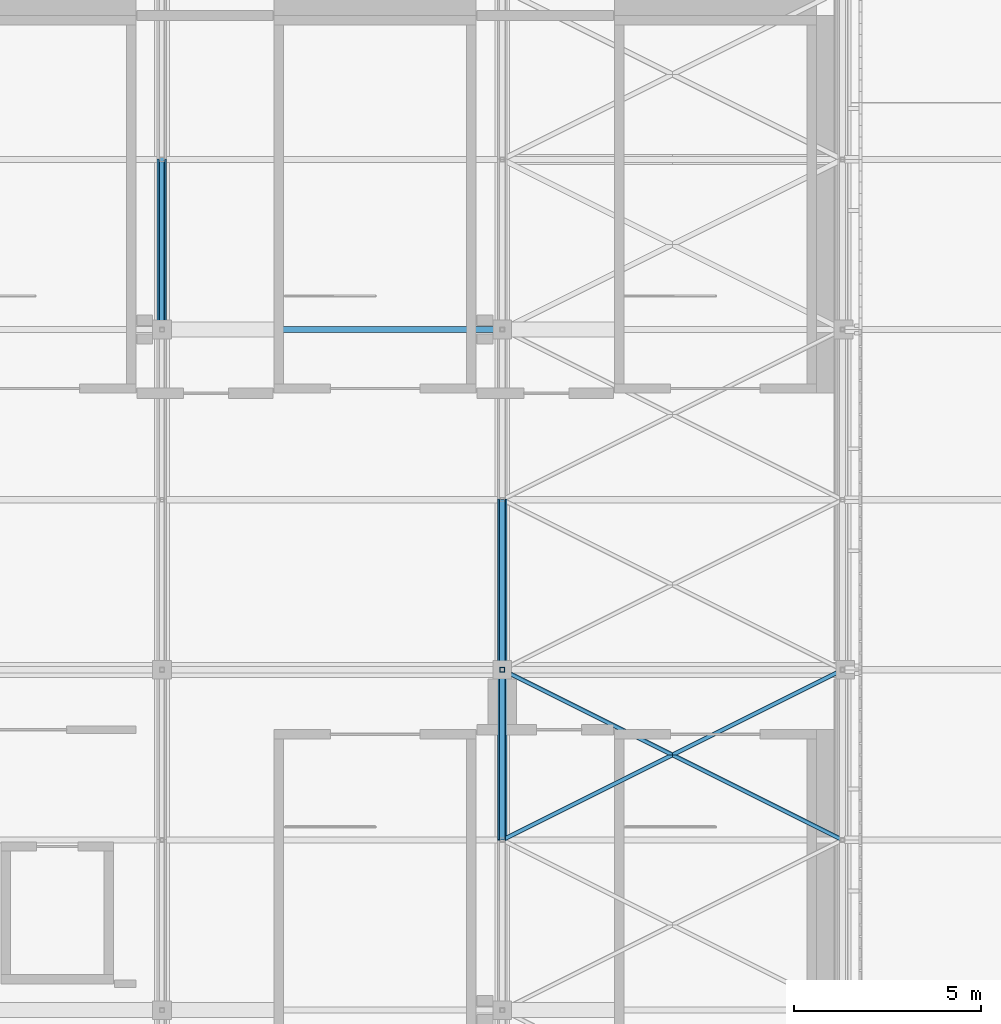
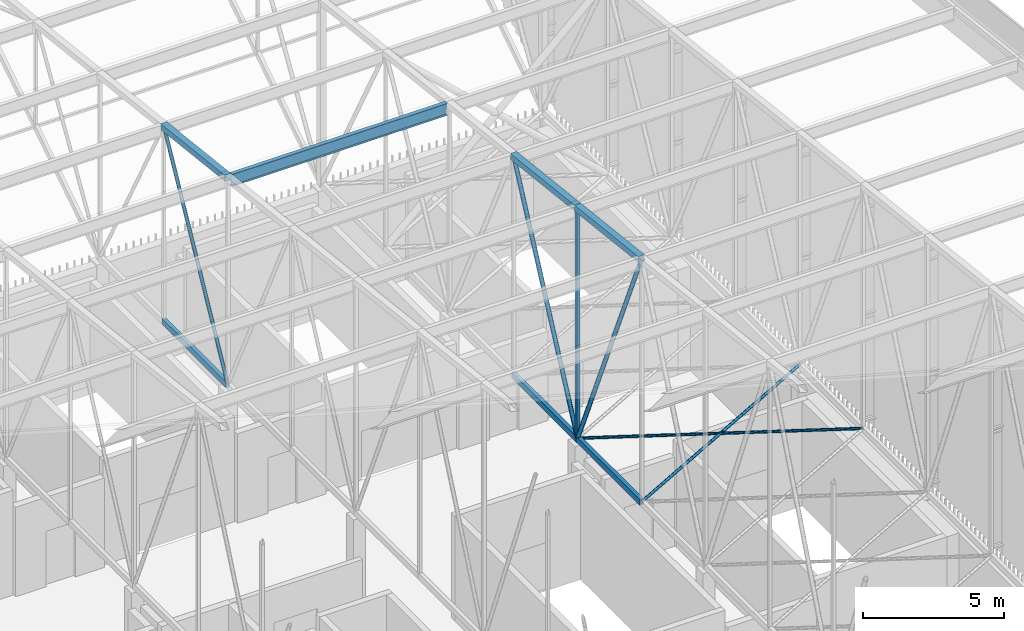
# One storey, part 396 of 500: 13 members.
"""IFC4 building model written with IfcOpenShell, lengths in metres."""

from ifc_helpers import new_model, si_unit, direction, frame, origin, origin_2d, place, context, subcontext, project, spatial, hollow_rectangle, hollow_circle, i_section, extrude, material, material_profile, profile_set, type_object, element, save


model = new_model("IFC4")

# Units and contexts
model_context = context("Model", 3, precision=1e-05, world=origin(), true_north=direction((0.0, 1.0)))
body_context = subcontext(model_context, "Body", "Model", "MODEL_VIEW")
ifc_project = project(units=[si_unit("LENGTHUNIT", "METRE"), si_unit("AREAUNIT", "SQUARE_METRE"), si_unit("VOLUMEUNIT", "CUBIC_METRE"), si_unit("PLANEANGLEUNIT", "RADIAN"), si_unit("MASSUNIT", "GRAM", prefix="KILO")], contexts=[model_context])

# Site, building, storey
site_placement = place(None, origin())
site = spatial("IfcSite", under=ifc_project, at=site_placement, CompositionType="ELEMENT")
building_placement = place(site_placement, origin())
building = spatial("IfcBuilding", under=site, at=building_placement, Name="Shirokan Park Arena", CompositionType="ELEMENT")
storey_placement = place(building_placement, frame((0.0, 0.0, 29.1201171875)))
storey = spatial("IfcBuildingStorey", under=building, at=storey_placement, Name="L06", CompositionType="ELEMENT", Elevation=29.1201171875)

# Members
ifc_material_1 = material(Name="Steel ASTM A500 Grade C", Category="steel")
ifc_material_profile_1 = material_profile(ifc_material_1, hollow_rectangle(XDim=0.152099609375, YDim=0.25390625, WallThickness=0.009521484375, at=origin_2d()), Name="HSS254X152.4X9.5")
ifc_profile_set_1 = profile_set([ifc_material_profile_1], Name="Steel ASTM A500 Grade C")
member_type_1 = type_object("IfcMemberType", Name="Bottom chord HSS254X152.4X9.5", PredefinedType="CHORD", material=ifc_profile_set_1)
member_1_placement = place(storey_placement, frame((127.39990234375, 100.10009765625, 4.677001953125), z_axis=(0.0, 1.0, 0.0), x_axis=(-1.0, 0.0, 0.0)))
element("IfcMember", 1, at=member_1_placement, inside=storey, type_object=member_type_1, Name="Truss T15 bottom chord 25", PredefinedType="CHORD", context=body_context, shape_type="SweptSolid", body=[
    extrude(hollow_rectangle(XDim=0.152099609375, YDim=0.25390625, WallThickness=0.009521484375, at=origin_2d()), origin(), (0.0, 0.0, 1.0), 4.5498046875),
])
for number, where, z_axis, x_axis, name in (
    (2, (136.5, 86.449951171875, 4.677001953125), (0.0, 1.0, 0.0), (-1.0, 0.0, 0.0), "Truss T16 bottom chord 22"),
    (3, (136.5, 91.0, 4.677001953125), (0.0, 1.0, 0.0), (-1.0, 0.0, 0.0), "Truss T16 bottom chord 23"),
):
    element("IfcMember", number, at=place(storey_placement, frame(where, z_axis=z_axis, x_axis=x_axis)), inside=storey, type_object=member_type_1, Name=name, PredefinedType="CHORD", context=body_context, shape_type="SweptSolid", body=[
        extrude(hollow_rectangle(XDim=0.152099609375, YDim=0.25390625, WallThickness=0.009521484375, at=origin_2d()), origin(), (0.0, 0.0, 1.0), 4.550048828125),
    ])
ifc_material_profile_2 = material_profile(ifc_material_1, hollow_circle(Radius=0.056884765625, WallThickness=0.006103515625, at=origin_2d()), Name="HSS114.3X6")
ifc_profile_set_2 = profile_set([ifc_material_profile_2], Name="Steel ASTM A500 Grade C")
member_type_2 = type_object("IfcMemberType", Name="Plan bracing HSS114.3X6", PredefinedType="BRACE", material=ifc_profile_set_2)
for number, where, z_axis, x_axis, name in (
    (4, (136.5, 86.449951171875, 4.677001953125), (0.894427191, 0.4472135955, 0.0), (-0.4472135955, 0.894427191, 0.0), "Plan bracing bay 16 panel 22 A"),
    (5, (145.60009765625, 86.449951171875, 4.677001953125), (-0.894427191, 0.4472135955, 0.0), (-0.4472135955, -0.894427191, 0.0), "Plan bracing bay 16 panel 22 B"),
):
    element("IfcMember", number, at=place(storey_placement, frame(where, z_axis=z_axis, x_axis=x_axis)), inside=storey, type_object=member_type_2, Name=name, PredefinedType="BRACE", context=body_context, shape_type="SweptSolid", body=[
        extrude(hollow_circle(Radius=0.056884765625, WallThickness=0.006103515625, at=origin_2d()), origin(), (0.0, 0.0, 1.0), 10.17431640625),
    ])
ifc_material_2 = material(Name="Steel ASTM A992", Category="steel")
ifc_material_profile_3 = material_profile(ifc_material_2, i_section(OverallWidth=0.166015625, OverallDepth=0.528076171875, WebThickness=0.009765625, FlangeThickness=0.013671875, at=origin_2d()), Name="W530X74")
ifc_profile_set_3 = profile_set([ifc_material_profile_3], Name="Steel ASTM A992")
member_type_3 = type_object("IfcMemberType", Name="Purlin W530X74", PredefinedType="PURLIN", material=ifc_profile_set_3)
member_2_placement = place(storey_placement, frame((127.527099609375, 100.10009765625, 13.52587890625), z_axis=(1.0, 0.0, 0.0), x_axis=(0.0, 1.0, 0.0)))
element("IfcMember", 6, at=member_2_placement, inside=storey, type_object=member_type_3, Name="Purlin 25 bay 15", PredefinedType="PURLIN", context=body_context, shape_type="SweptSolid", body=[
    extrude(i_section(OverallWidth=0.166015625, OverallDepth=0.528076171875, WebThickness=0.009765625, FlangeThickness=0.013671875, at=origin_2d()), origin(), (0.0, 0.0, 1.0), 8.845947265625),
])
ifc_material_profile_4 = material_profile(ifc_material_1, hollow_rectangle(XDim=0.25390625, YDim=0.25390625, WallThickness=0.009521484375, at=origin_2d()), Name="HSS254X254X9.5")
ifc_profile_set_4 = profile_set([ifc_material_profile_4], Name="Steel ASTM A500 Grade C")
member_type_4 = type_object("IfcMemberType", Name="Top chord HSS254X254X9.5", PredefinedType="CHORD", material=ifc_profile_set_4)
member_3_placement = place(storey_placement, frame((127.39990234375, 100.10009765625, 13.662841796875), z_axis=(0.0, 0.993531641592, -0.11355561261), x_axis=(-1.0, 0.0, 0.0)))
element("IfcMember", 7, at=member_3_placement, inside=storey, type_object=member_type_4, Name="Truss T15 top chord 25", PredefinedType="CHORD", context=body_context, shape_type="SweptSolid", body=[
    extrude(hollow_rectangle(XDim=0.25390625, YDim=0.25390625, WallThickness=0.009521484375, at=origin_2d()), origin(), (0.0, 0.0, 1.0), 4.579345703125),
])
for number, where, z_axis, x_axis, name in (
    (8, (136.5, 86.449951171875, 15.222900390625), (0.0, 0.993532328996, -0.113549598152), (-1.0, 0.0, 0.0), "Truss T16 top chord 22"),
    (9, (136.5, 91.0, 14.702880859375), (0.0, 0.993532328996, -0.113549598152), (-1.0, 0.0, 0.0), "Truss T16 top chord 23"),
):
    element("IfcMember", number, at=place(storey_placement, frame(where, z_axis=z_axis, x_axis=x_axis)), inside=storey, type_object=member_type_4, Name=name, PredefinedType="CHORD", context=body_context, shape_type="SweptSolid", body=[
        extrude(hollow_rectangle(XDim=0.25390625, YDim=0.25390625, WallThickness=0.009521484375, at=origin_2d()), origin(), (0.0, 0.0, 1.0), 4.57958984375),
    ])
ifc_material_profile_5 = material_profile(ifc_material_1, hollow_circle(Radius=0.070556640625, WallThickness=0.006591796875, at=origin_2d()), Name="HSS141.3X6.6")
ifc_profile_set_5 = profile_set([ifc_material_profile_5], Name="Steel ASTM A500 Grade C")
member_type_5 = type_object("IfcMemberType", Name="Truss diagonal HSS141.3X6.6", PredefinedType="BRACE", material=ifc_profile_set_5)
member_4_placement = place(storey_placement, frame((127.39990234375, 100.10009765625, 4.677001953125), z_axis=(0.0, 0.47339679801, 0.880849289966), x_axis=(-1.0, 0.0, 0.0)))
element("IfcMember", 10, at=member_4_placement, inside=storey, type_object=member_type_5, Name="Truss T15 diagonal 25", PredefinedType="BRACE", context=body_context, shape_type="SweptSolid", body=[
    extrude(hollow_circle(Radius=0.070556640625, WallThickness=0.006591796875, at=origin_2d()), origin(), (0.0, 0.0, 1.0), 9.611083984375),
])
ifc_material_profile_6 = material_profile(ifc_material_1, hollow_circle(Radius=0.083984375, WallThickness=0.009521484375, at=origin_2d()), Name="HSS168.3X9.5")
ifc_profile_set_6 = profile_set([ifc_material_profile_6], Name="Steel ASTM A500 Grade C")
member_type_6 = type_object("IfcMemberType", Name="Truss diagonal HSS168.3X9.5", PredefinedType="BRACE", material=ifc_profile_set_6)
member_5_placement = place(storey_placement, frame((136.5, 86.449951171875, 15.222900390625), z_axis=(0.0, 0.396152605513, -0.918184683572), x_axis=(-1.0, 0.0, 0.0)))
element("IfcMember", 11, at=member_5_placement, inside=storey, type_object=member_type_6, Name="Truss T16 diagonal 22", PredefinedType="BRACE", context=body_context, shape_type="SweptSolid", body=[
    extrude(hollow_circle(Radius=0.083984375, WallThickness=0.009521484375, at=origin_2d()), origin(), (0.0, 0.0, 1.0), 11.485595703125),
])
member_6_placement = place(storey_placement, frame((136.5, 91.0, 4.677001953125), z_axis=(0.0, 0.431746476626, 0.901994999942), x_axis=(-1.0, 0.0, 0.0)))
element("IfcMember", 12, at=member_6_placement, inside=storey, type_object=member_type_6, Name="Truss T16 diagonal 23", PredefinedType="BRACE", context=body_context, shape_type="SweptSolid", body=[
    extrude(hollow_circle(Radius=0.083984375, WallThickness=0.009521484375, at=origin_2d()), origin(), (0.0, 0.0, 1.0), 10.538818359375),
])
ifc_material_profile_7 = material_profile(ifc_material_1, hollow_rectangle(XDim=0.126953125, YDim=0.126953125, WallThickness=0.0126953125, at=origin_2d()), Name="HSS127X127X12.7")
ifc_profile_set_7 = profile_set([ifc_material_profile_7], Name="Steel ASTM A500 Grade C")
member_type_7 = type_object("IfcMemberType", Name="Truss post HSS127X127X12.7", PredefinedType="POST", material=ifc_profile_set_7)
member_7_placement = place(storey_placement, frame((136.5, 91.0, 4.677001953125), z_axis=(0.0, 0.0, 1.0), x_axis=(1.0, 0.0, 0.0)))
element("IfcMember", 13, at=member_7_placement, inside=storey, type_object=member_type_7, Name="Truss T16 post 23", PredefinedType="POST", context=body_context, shape_type="SweptSolid", body=[
    extrude(hollow_rectangle(XDim=0.126953125, YDim=0.126953125, WallThickness=0.0126953125, at=origin_2d()), origin(), (0.0, 0.0, 1.0), 10.02587890625),
])

save(model, "model.ifc")
